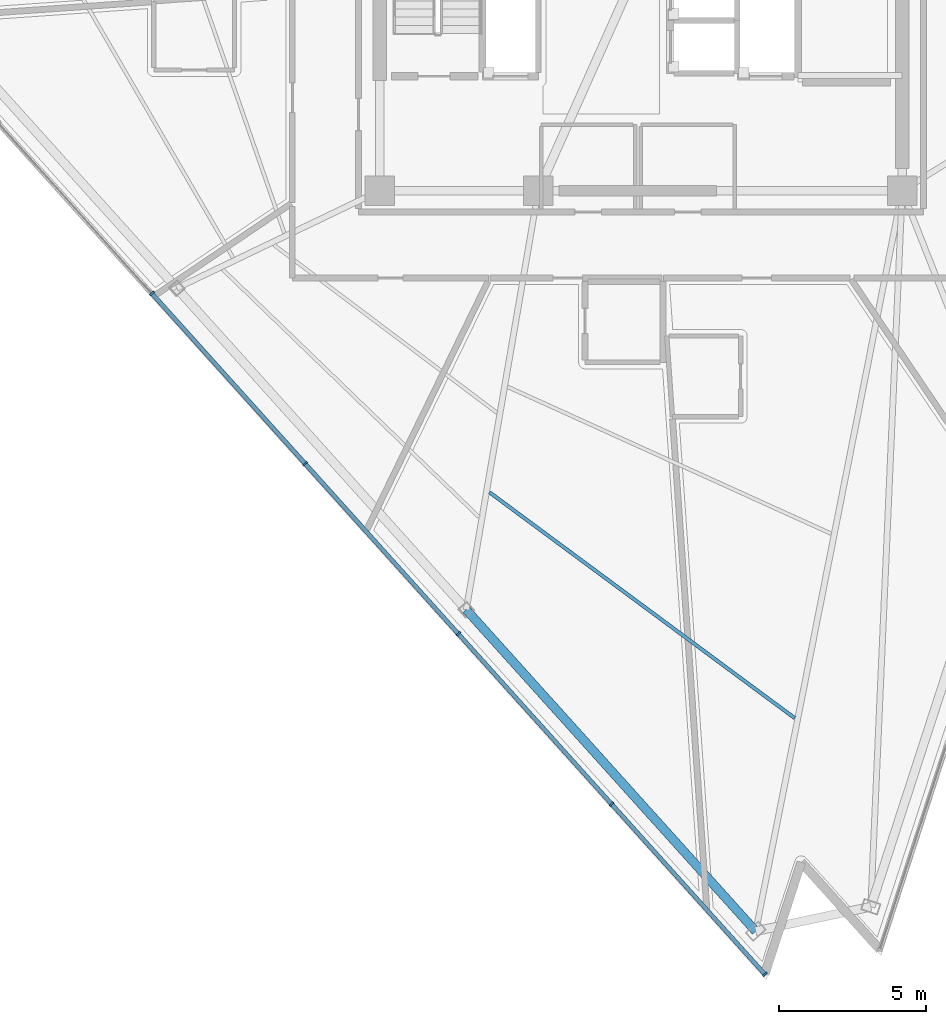
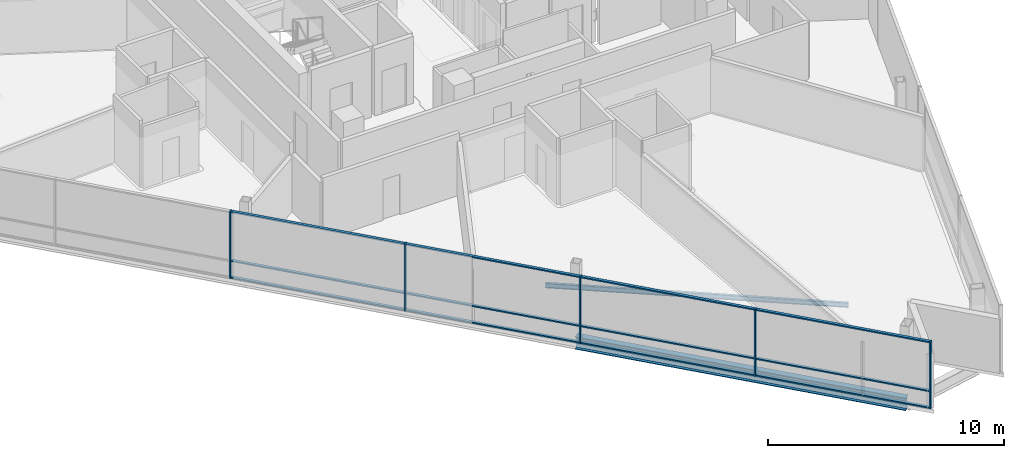
# One storey, part 2 of 18: 17 members, 2 beams, 1 element without a shape of its own.
"""IFC4 building model written with IfcOpenShell, lengths in metres."""

from ifc_helpers import new_model, si_unit, direction, frame, origin, origin_2d, place, context, subcontext, project, spatial, rectangle, i_section, extrude, material, layer, layer_set, material_profile, profile_set, type_object, element, aggregate, save


model = new_model("IFC4")

# Units and contexts
model_context = context("Model", 3, precision=1e-05, world=origin(), true_north=direction((0.0, 1.0)))
body_context = subcontext(model_context, "Body", "Model", "MODEL_VIEW")
ifc_project = project(units=[si_unit("LENGTHUNIT", "METRE"), si_unit("AREAUNIT", "SQUARE_METRE"), si_unit("VOLUMEUNIT", "CUBIC_METRE"), si_unit("PLANEANGLEUNIT", "RADIAN"), si_unit("MASSUNIT", "GRAM", prefix="KILO")], contexts=[model_context])

# Site, building, storey
site_placement = place(None, origin())
site = spatial("IfcSite", under=ifc_project, at=site_placement, CompositionType="ELEMENT")
building_placement = place(site_placement, origin())
building = spatial("IfcBuilding", under=site, at=building_placement, Name="Tharavind Bronze Gate", CompositionType="ELEMENT")
storey_placement = place(building_placement, frame((0.0, 0.0, 287.050048828125)))
storey = spatial("IfcBuildingStorey", under=building, at=storey_placement, Name="L74", CompositionType="ELEMENT", Elevation=287.050048828125)

# Curtain wall, members
ifc_material_1 = material(Name="Anodised Bronze Aluminium", Category="aluminium")
ifc_layer = layer(ifc_material_1, 0.219970703125)
ifc_layer_set = layer_set([ifc_layer], Name="Anodised Bronze Aluminium")
curtain_wall_type = type_object("IfcCurtainWallType", Name="UNITISED CURTAIN WALL CROWN", PredefinedType="USERDEFINED", material=ifc_layer_set)
curtain_wall_placement = place(storey_placement, origin())
curtain_wall = element("IfcCurtainWall", 1, at=curtain_wall_placement, inside=storey, type_object=curtain_wall_type, Name="L74 unitised curtain wall crown CW-L74-S1", ObjectType="UNITISED CURTAIN WALL", PredefinedType="USERDEFINED")
member_type_1 = type_object("IfcMemberType", Name="CURTAIN WALL BRONZE MULLION 65X180", PredefinedType="MULLION", material=ifc_material_1)
member_1_placement = place(storey_placement, frame((-16.663330078125, -11.101806640625, 0.0), z_axis=(0.0, 0.0, 1.0), x_axis=(0.669130606359, -0.743144825477, 0.0)))
member_1 = element("IfcMember", 2, at=member_1_placement, type_object=member_type_1, Name="CW-L74-S1 mullion 3", PredefinedType="MULLION", context=body_context, shape_type="SweptSolid", body=[
    extrude(rectangle(XDim=0.06494140625, YDim=0.179931640625, at=origin_2d()), origin(), (0.0, 0.0, 1.0), 3.465087890625),
])
member_2_placement = place(storey_placement, frame((-11.442138671875, -16.900390625, 0.0), z_axis=(0.0, 0.0, 1.0), x_axis=(0.669130606359, -0.743144825477, 0.0)))
member_2 = element("IfcMember", 3, at=member_2_placement, type_object=member_type_1, Name="CW-L74-S1 mullion 4", PredefinedType="MULLION", context=body_context, shape_type="SweptSolid", body=[
    extrude(rectangle(XDim=0.06494140625, YDim=0.179931640625, at=origin_2d()), origin(), (0.0, 0.0, 1.0), 3.465087890625),
])
member_3_placement = place(storey_placement, frame((-6.22119140625, -22.698974609375, 0.0), z_axis=(0.0, 0.0, 1.0), x_axis=(0.669130606359, -0.743144825477, 0.0)))
member_3 = element("IfcMember", 4, at=member_3_placement, type_object=member_type_1, Name="CW-L74-S1 mullion 5", PredefinedType="MULLION", context=body_context, shape_type="SweptSolid", body=[
    extrude(rectangle(XDim=0.06494140625, YDim=0.179931640625, at=origin_2d()), origin(), (0.0, 0.0, 1.0), 3.465087890625),
])
member_4_placement = place(storey_placement, frame((-1.000244140625, -28.49755859375, 0.0), z_axis=(0.0, 0.0, 1.0), x_axis=(0.669130606359, -0.743144825477, 0.0)))
member_4 = element("IfcMember", 5, at=member_4_placement, type_object=member_type_1, Name="CW-L74-S1 mullion 6", PredefinedType="MULLION", context=body_context, shape_type="SweptSolid", body=[
    extrude(rectangle(XDim=0.06494140625, YDim=0.179931640625, at=origin_2d()), origin(), (0.0, 0.0, 1.0), 3.465087890625),
])
member_5_placement = place(storey_placement, frame((4.220703125, -34.2958984375, 0.0), z_axis=(0.0, 0.0, 1.0), x_axis=(0.669130606359, -0.743144825477, 0.0)))
member_5 = element("IfcMember", 6, at=member_5_placement, type_object=member_type_1, Name="CW-L74-S1 mullion 7", PredefinedType="MULLION", context=body_context, shape_type="SweptSolid", body=[
    extrude(rectangle(XDim=0.06494140625, YDim=0.179931640625, at=origin_2d()), origin(), (0.0, 0.0, 1.0), 3.465087890625),
])
member_type_2 = type_object("IfcMemberType", Name="CURTAIN WALL BRONZE TRANSOM 65X140", PredefinedType="USERDEFINED", material=ifc_material_1)
member_6_placement = place(storey_placement, frame((-14.052734375, -14.001220703125, 0.0), z_axis=(0.0, 0.0, 1.0), x_axis=(0.669130606359, -0.743144825477, 0.0)))
member_6 = element("IfcMember", 7, at=member_6_placement, type_object=member_type_2, Name="CW-L74-S1 transom TB3", ObjectType="TRANSOM", PredefinedType="USERDEFINED", context=body_context, shape_type="SweptSolid", body=[
    extrude(rectangle(XDim=7.749755859375, YDim=0.139892578125, at=origin_2d()), origin(), (0.0, 0.0, 1.0), 0.06494140625),
])
member_7_placement = place(storey_placement, frame((-14.052734375, -14.001220703125, 0.867431640625), z_axis=(0.0, 0.0, 1.0), x_axis=(0.669130606359, -0.743144825477, 0.0)))
member_7 = element("IfcMember", 8, at=member_7_placement, type_object=member_type_2, Name="CW-L74-S1 transom TS3", ObjectType="TRANSOM", PredefinedType="USERDEFINED", context=body_context, shape_type="SweptSolid", body=[
    extrude(rectangle(XDim=7.749755859375, YDim=0.139892578125, at=origin_2d()), origin(), (0.0, 0.0, 1.0), 0.06494140625),
])
member_8_placement = place(storey_placement, frame((-14.052734375, -14.001220703125, 3.39990234375), z_axis=(0.0, 0.0, 1.0), x_axis=(0.669130606359, -0.743144825477, 0.0)))
member_8 = element("IfcMember", 9, at=member_8_placement, type_object=member_type_2, Name="CW-L74-S1 transom TT3", ObjectType="TRANSOM", PredefinedType="USERDEFINED", context=body_context, shape_type="SweptSolid", body=[
    extrude(rectangle(XDim=7.749755859375, YDim=0.139892578125, at=origin_2d()), origin(), (0.0, 0.0, 1.0), 0.06494140625),
])
member_9_placement = place(storey_placement, frame((-8.831787109375, -19.7998046875, 0.0), z_axis=(0.0, 0.0, 1.0), x_axis=(0.669130606359, -0.743144825477, 0.0)))
member_9 = element("IfcMember", 10, at=member_9_placement, type_object=member_type_2, Name="CW-L74-S1 transom TB4", ObjectType="TRANSOM", PredefinedType="USERDEFINED", context=body_context, shape_type="SweptSolid", body=[
    extrude(rectangle(XDim=7.749755859375, YDim=0.139892578125, at=origin_2d()), origin(), (0.0, 0.0, 1.0), 0.06494140625),
])
member_10_placement = place(storey_placement, frame((-8.831787109375, -19.7998046875, 0.867431640625), z_axis=(0.0, 0.0, 1.0), x_axis=(0.669130606359, -0.743144825477, 0.0)))
member_10 = element("IfcMember", 11, at=member_10_placement, type_object=member_type_2, Name="CW-L74-S1 transom TS4", ObjectType="TRANSOM", PredefinedType="USERDEFINED", context=body_context, shape_type="SweptSolid", body=[
    extrude(rectangle(XDim=7.749755859375, YDim=0.139892578125, at=origin_2d()), origin(), (0.0, 0.0, 1.0), 0.06494140625),
])
member_11_placement = place(storey_placement, frame((-8.831787109375, -19.7998046875, 3.39990234375), z_axis=(0.0, 0.0, 1.0), x_axis=(0.669130606359, -0.743144825477, 0.0)))
member_11 = element("IfcMember", 12, at=member_11_placement, type_object=member_type_2, Name="CW-L74-S1 transom TT4", ObjectType="TRANSOM", PredefinedType="USERDEFINED", context=body_context, shape_type="SweptSolid", body=[
    extrude(rectangle(XDim=7.749755859375, YDim=0.139892578125, at=origin_2d()), origin(), (0.0, 0.0, 1.0), 0.06494140625),
])
member_12_placement = place(storey_placement, frame((-3.610595703125, -25.59814453125, 0.0), z_axis=(0.0, 0.0, 1.0), x_axis=(0.669130606359, -0.743144825477, 0.0)))
member_12 = element("IfcMember", 13, at=member_12_placement, type_object=member_type_2, Name="CW-L74-S1 transom TB5", ObjectType="TRANSOM", PredefinedType="USERDEFINED", context=body_context, shape_type="SweptSolid", body=[
    extrude(rectangle(XDim=7.749755859375, YDim=0.139892578125, at=origin_2d()), origin(), (0.0, 0.0, 1.0), 0.06494140625),
])
member_13_placement = place(storey_placement, frame((-3.610595703125, -25.59814453125, 0.867431640625), z_axis=(0.0, 0.0, 1.0), x_axis=(0.669130606359, -0.743144825477, 0.0)))
member_13 = element("IfcMember", 14, at=member_13_placement, type_object=member_type_2, Name="CW-L74-S1 transom TS5", ObjectType="TRANSOM", PredefinedType="USERDEFINED", context=body_context, shape_type="SweptSolid", body=[
    extrude(rectangle(XDim=7.749755859375, YDim=0.139892578125, at=origin_2d()), origin(), (0.0, 0.0, 1.0), 0.06494140625),
])
member_14_placement = place(storey_placement, frame((-3.610595703125, -25.59814453125, 3.39990234375), z_axis=(0.0, 0.0, 1.0), x_axis=(0.669130606359, -0.743144825477, 0.0)))
member_14 = element("IfcMember", 15, at=member_14_placement, type_object=member_type_2, Name="CW-L74-S1 transom TT5", ObjectType="TRANSOM", PredefinedType="USERDEFINED", context=body_context, shape_type="SweptSolid", body=[
    extrude(rectangle(XDim=7.749755859375, YDim=0.139892578125, at=origin_2d()), origin(), (0.0, 0.0, 1.0), 0.06494140625),
])
member_15_placement = place(storey_placement, frame((1.6103515625, -31.396728515625, 0.0), z_axis=(0.0, 0.0, 1.0), x_axis=(0.669130606359, -0.743144825477, 0.0)))
member_15 = element("IfcMember", 16, at=member_15_placement, type_object=member_type_2, Name="CW-L74-S1 transom TB6", ObjectType="TRANSOM", PredefinedType="USERDEFINED", context=body_context, shape_type="SweptSolid", body=[
    extrude(rectangle(XDim=7.749755859375, YDim=0.139892578125, at=origin_2d()), origin(), (0.0, 0.0, 1.0), 0.06494140625),
])
member_16_placement = place(storey_placement, frame((1.6103515625, -31.396728515625, 0.867431640625), z_axis=(0.0, 0.0, 1.0), x_axis=(0.669130606359, -0.743144825477, 0.0)))
member_16 = element("IfcMember", 17, at=member_16_placement, type_object=member_type_2, Name="CW-L74-S1 transom TS6", ObjectType="TRANSOM", PredefinedType="USERDEFINED", context=body_context, shape_type="SweptSolid", body=[
    extrude(rectangle(XDim=7.749755859375, YDim=0.139892578125, at=origin_2d()), origin(), (0.0, 0.0, 1.0), 0.06494140625),
])
member_17_placement = place(storey_placement, frame((1.6103515625, -31.396728515625, 3.39990234375), z_axis=(0.0, 0.0, 1.0), x_axis=(0.669130606359, -0.743144825477, 0.0)))
member_17 = element("IfcMember", 18, at=member_17_placement, type_object=member_type_2, Name="CW-L74-S1 transom TT6", ObjectType="TRANSOM", PredefinedType="USERDEFINED", context=body_context, shape_type="SweptSolid", body=[
    extrude(rectangle(XDim=7.749755859375, YDim=0.139892578125, at=origin_2d()), origin(), (0.0, 0.0, 1.0), 0.06494140625),
])
aggregate(curtain_wall, [member_1, member_2, member_3, member_4, member_5, member_6, member_7, member_8, member_9, member_10, member_11, member_12, member_13, member_14, member_15, member_16, member_17])

# Beams
ifc_material_2 = material(Name="Steel S355", Category="steel")
ifc_material_profile_1 = material_profile(ifc_material_2, i_section(OverallWidth=0.300048828125, OverallDepth=0.64990234375, WebThickness=0.01611328125, FlangeThickness=0.031005859375, at=origin_2d()), Name="HE650B")
ifc_profile_set_1 = profile_set([ifc_material_profile_1], Name="Steel S355")
beam_type_1 = type_object("IfcBeamType", Name="PRIMARY GIRDER HE650B", PredefinedType="USERDEFINED", material=ifc_profile_set_1)
beam_1_placement = place(storey_placement, frame((-5.95361328125, -21.875244140625, -0.510009765625), z_axis=(0.669134014343, -0.7431417569, 0.0), x_axis=(0.7431417569, 0.669134014343, 0.0)))
element("IfcBeam", 19, at=beam_1_placement, inside=storey, type_object=beam_type_1, Name="L74 primary girder he650b BM-L74-PRG03", ObjectType="GIRDER", PredefinedType="USERDEFINED", context=body_context, shape_type="SweptSolid", body=[
    extrude(i_section(OverallWidth=0.300048828125, OverallDepth=0.64990234375, WebThickness=0.01611328125, FlangeThickness=0.031005859375, at=origin_2d()), origin(), (0.0, 0.0, 1.0), 14.7392578125),
])
ifc_material_profile_2 = material_profile(ifc_material_2, i_section(OverallWidth=0.1201171875, OverallDepth=0.239990234375, WebThickness=0.006103515625, FlangeThickness=0.009765625, at=origin_2d()), Name="IPE240")
ifc_profile_set_2 = profile_set([ifc_material_profile_2], Name="Steel S355")
beam_type_2 = type_object("IfcBeamType", Name="SECONDARY FLOOR JOIST IPE240", PredefinedType="JOIST", material=ifc_profile_set_2)
beam_2_placement = place(storey_placement, frame((-5.1611328125, -17.875732421875, -0.304931640625), z_axis=(0.803905058173, -0.594757645973, 0.0), x_axis=(0.594757645973, 0.803905058173, 0.0)))
element("IfcBeam", 20, at=beam_2_placement, inside=storey, type_object=beam_type_2, Name="L74 secondary floor joist ipe240 BM-L74-JSTB03", PredefinedType="JOIST", context=body_context, shape_type="SweptSolid", body=[
    extrude(i_section(OverallWidth=0.1201171875, OverallDepth=0.239990234375, WebThickness=0.006103515625, FlangeThickness=0.009765625, at=origin_2d()), origin(), (0.0, 0.0, 1.0), 12.937255859375),
])

save(model, "model.ifc")
